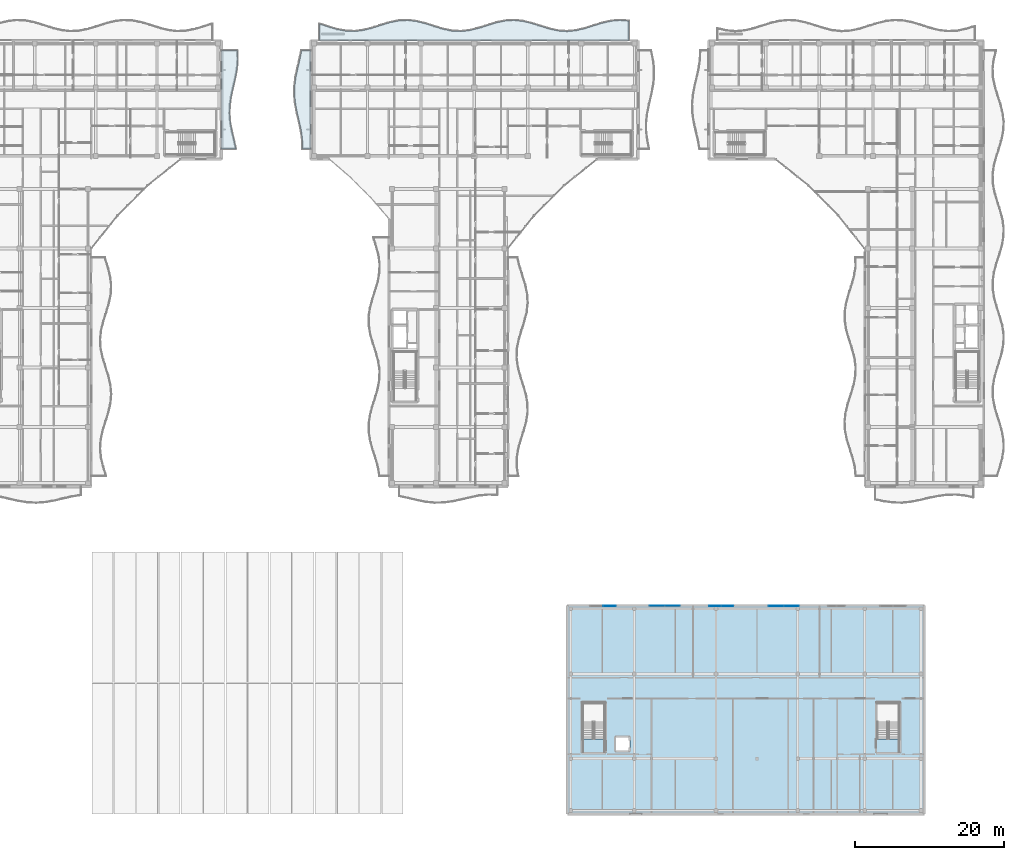
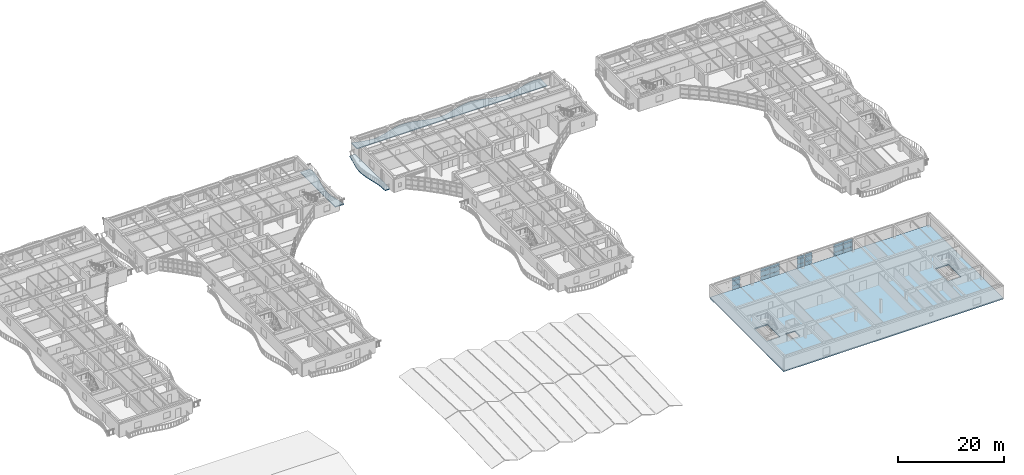
# One storey, part 42 of 89: 21 plates, 4 slabs, 4 elements without a shape of their own.
"""IFC4 building model written with IfcOpenShell, lengths in metres."""

from ifc_helpers import new_model, si_unit, direction, frame, origin, origin_2d, place, context, subcontext, project, spatial, polyline, rectangle, outline, extrude, material, layer, layer_set, type_object, element, aggregate, save


model = new_model("IFC4")

# Units and contexts
model_context = context("Model", 3, precision=1e-05, world=origin(), true_north=direction((0.0, 1.0)))
body_context = subcontext(model_context, "Body", "Model", "MODEL_VIEW")
ifc_project = project(units=[si_unit("LENGTHUNIT", "METRE"), si_unit("AREAUNIT", "SQUARE_METRE"), si_unit("VOLUMEUNIT", "CUBIC_METRE"), si_unit("PLANEANGLEUNIT", "RADIAN"), si_unit("MASSUNIT", "GRAM", prefix="KILO")], contexts=[model_context])

# Site, building, storey
site_placement = place(None, origin())
site = spatial("IfcSite", under=ifc_project, at=site_placement, CompositionType="ELEMENT")
building_placement = place(site_placement, origin())
building = spatial("IfcBuilding", under=site, at=building_placement, Name="Keldmere Railside Commons", CompositionType="ELEMENT")
storey_placement = place(building_placement, frame((0.0, 0.0, 7.360107421875)))
storey = spatial("IfcBuildingStorey", under=building, at=storey_placement, Name="L02", CompositionType="ELEMENT", Elevation=7.360107421875)

# Curtain wall, plates
ifc_material_1 = material(Name="Thermally Broken Aluminium", Category="aluminium")
ifc_layer_1 = layer(ifc_material_1, 0.159912109375, Name="Sky-Terrace Lounge CW 3400x2850")
ifc_layer_set_1 = layer_set([ifc_layer_1], Name="Thermally Broken Aluminium")
curtain_wall_type_1 = type_object("IfcCurtainWallType", Name="Sky-Terrace Lounge CW 3400x2850", PredefinedType="NOTDEFINED", material=ifc_layer_set_1)
curtain_wall_1_placement = place(storey_placement, origin())
curtain_wall_1 = element("IfcCurtainWall", 1, at=curtain_wall_1_placement, inside=storey, type_object=curtain_wall_type_1, Name="CW-14 CW-L02-226", PredefinedType="NOTDEFINED")
ifc_material_2 = material(Name="Low-E Insulated Double Glazing", Category="glass")
ifc_layer_2 = layer(ifc_material_2, 0.033935546875, Name="Acoustic Laminated Vision Panel 34")
ifc_layer_set_2 = layer_set([ifc_layer_2], Name="Low-E Insulated Double Glazing")
plate_type_1 = type_object("IfcPlateType", Name="Acoustic Laminated Vision Panel 34", PredefinedType="CURTAIN_PANEL", material=ifc_layer_set_2)
plate_1_placement = place(storey_placement, frame((147.8662109375, 39.949951171875, 0.06494140625), z_axis=(0.0, 0.0, 1.0), x_axis=(1.0, 0.0, 0.0)))
plate_1 = element("IfcPlate", 2, at=plate_1_placement, type_object=plate_type_1, Name="CW-14 panel 1.1", PredefinedType="CURTAIN_PANEL", context=body_context, shape_type="SweptSolid", body=[
    extrude(rectangle(XDim=1.6025390625, YDim=0.033935546875, at=origin_2d()), origin(), (0.0, 0.0, 1.0), 0.802490234375),
])
plate_2_placement = place(storey_placement, frame((147.8662109375, 39.949951171875, 0.932373046875), z_axis=(0.0, 0.0, 1.0), x_axis=(1.0, 0.0, 0.0)))
plate_2 = element("IfcPlate", 3, at=plate_2_placement, type_object=plate_type_1, Name="CW-14 panel 1.2", PredefinedType="CURTAIN_PANEL", context=body_context, shape_type="SweptSolid", body=[
    extrude(rectangle(XDim=1.6025390625, YDim=0.033935546875, at=origin_2d()), origin(), (0.0, 0.0, 1.0), 1.0849609375),
])
plate_3_placement = place(storey_placement, frame((147.8662109375, 39.949951171875, 2.08251953125), z_axis=(0.0, 0.0, 1.0), x_axis=(1.0, 0.0, 0.0)))
plate_3 = element("IfcPlate", 4, at=plate_3_placement, type_object=plate_type_1, Name="CW-14 panel 1.3", PredefinedType="CURTAIN_PANEL", context=body_context, shape_type="SweptSolid", body=[
    extrude(rectangle(XDim=1.6025390625, YDim=0.033935546875, at=origin_2d()), origin(), (0.0, 0.0, 1.0), 0.652587890625),
])
plate_4_placement = place(storey_placement, frame((149.53369140625, 39.949951171875, 0.06494140625), z_axis=(0.0, 0.0, 1.0), x_axis=(1.0, 0.0, 0.0)))
plate_4 = element("IfcPlate", 5, at=plate_4_placement, type_object=plate_type_1, Name="CW-14 panel 2.1", PredefinedType="CURTAIN_PANEL", context=body_context, shape_type="SweptSolid", body=[
    extrude(rectangle(XDim=1.6025390625, YDim=0.033935546875, at=origin_2d()), origin(), (0.0, 0.0, 1.0), 0.802490234375),
])
plate_5_placement = place(storey_placement, frame((149.53369140625, 39.949951171875, 0.932373046875), z_axis=(0.0, 0.0, 1.0), x_axis=(1.0, 0.0, 0.0)))
plate_5 = element("IfcPlate", 6, at=plate_5_placement, type_object=plate_type_1, Name="CW-14 panel 2.2", PredefinedType="CURTAIN_PANEL", context=body_context, shape_type="SweptSolid", body=[
    extrude(rectangle(XDim=1.6025390625, YDim=0.033935546875, at=origin_2d()), origin(), (0.0, 0.0, 1.0), 1.0849609375),
])
plate_6_placement = place(storey_placement, frame((149.53369140625, 39.949951171875, 2.08251953125), z_axis=(0.0, 0.0, 1.0), x_axis=(1.0, 0.0, 0.0)))
plate_6 = element("IfcPlate", 7, at=plate_6_placement, type_object=plate_type_1, Name="CW-14 panel 2.3", PredefinedType="CURTAIN_PANEL", context=body_context, shape_type="SweptSolid", body=[
    extrude(rectangle(XDim=1.6025390625, YDim=0.033935546875, at=origin_2d()), origin(), (0.0, 0.0, 1.0), 0.652587890625),
])
aggregate(curtain_wall_1, [plate_1, plate_2, plate_3, plate_4, plate_5, plate_6])

# Slab
ifc_material_3 = material(Name="Concrete H-30 (C30/37)", Category="concrete")
ifc_layer_3 = layer(ifc_material_3, 0.260009765625, Name="Civic Upper Floor Slab 260")
ifc_layer_set_3 = layer_set([ifc_layer_3], Name="Concrete H-30 (C30/37)")
slab_type_1 = type_object("IfcSlabType", Name="Civic Upper Floor Slab 260", PredefinedType="FLOOR", material=ifc_layer_set_3)
slab_1_placement = place(storey_placement, frame((0.0, 0.0, -0.260009765625)))
element("IfcSlab", 8, at=slab_1_placement, inside=storey, type_object=slab_type_1, Name="FS-3 ARC-L02-079", PredefinedType="FLOOR", context=body_context, shape_type="SweptSolid", body=[
    extrude(outline(polyline([(176.0, 12.0), (176.0, 40.0), (128.0, 40.0), (128.0, 12.0), (176.0, 12.0)]), holes=[polyline([(134.39990234375, 20.39990234375), (134.39990234375, 22.39990234375), (136.39990234375, 22.39990234375), (136.39990234375, 20.39990234375), (134.39990234375, 20.39990234375)]), polyline([(130.0849609375, 22.074951171875), (130.0849609375, 26.875), (133.02490234375, 26.875), (133.02490234375, 22.074951171875), (130.0849609375, 22.074951171875)]), polyline([(172.625, 22.074951171875), (169.68505859375, 22.074951171875), (169.68505859375, 26.875), (172.625, 26.875), (172.625, 22.074951171875)])]), origin(), (0.0, 0.0, 1.0), 0.260009765625),
])

# Curtain wall, plates
ifc_layer_4 = layer(ifc_material_1, 0.159912109375, Name="Market Arcade Upper Gallery CW 3600x2800")
ifc_layer_set_4 = layer_set([ifc_layer_4], Name="Thermally Broken Aluminium")
curtain_wall_type_2 = type_object("IfcCurtainWallType", Name="Market Arcade Upper Gallery CW 3600x2800", PredefinedType="NOTDEFINED", material=ifc_layer_set_4)
curtain_wall_2_placement = place(storey_placement, origin())
curtain_wall_2 = element("IfcCurtainWall", 9, at=curtain_wall_2_placement, inside=storey, type_object=curtain_wall_type_2, Name="CW-03 CW-L02-224", PredefinedType="NOTDEFINED")
ifc_layer_5 = layer(ifc_material_2, 0.031982421875, Name="Clerestory Solar-Control Vision Panel 32")
ifc_layer_set_5 = layer_set([ifc_layer_5], Name="Low-E Insulated Double Glazing")
plate_type_2 = type_object("IfcPlateType", Name="Clerestory Solar-Control Vision Panel 32", PredefinedType="CURTAIN_PANEL", material=ifc_layer_set_5)
plate_7_placement = place(storey_placement, frame((133.683837890625, 39.949951171875, 0.06494140625), z_axis=(0.0, 0.0, 1.0), x_axis=(1.0, 0.0, 0.0)))
plate_7 = element("IfcPlate", 10, at=plate_7_placement, type_object=plate_type_2, Name="CW-03 panel 2.1", PredefinedType="CURTAIN_PANEL", context=body_context, shape_type="SweptSolid", body=[
    extrude(rectangle(XDim=1.702392578125, YDim=0.031982421875, at=origin_2d()), origin(), (0.0, 0.0, 1.0), 0.802490234375),
])
plate_8_placement = place(storey_placement, frame((133.683837890625, 39.949951171875, 0.932373046875), z_axis=(0.0, 0.0, 1.0), x_axis=(1.0, 0.0, 0.0)))
plate_8 = element("IfcPlate", 11, at=plate_8_placement, type_object=plate_type_2, Name="CW-03 panel 2.2", PredefinedType="CURTAIN_PANEL", context=body_context, shape_type="SweptSolid", body=[
    extrude(rectangle(XDim=1.702392578125, YDim=0.031982421875, at=origin_2d()), origin(), (0.0, 0.0, 1.0), 1.0849609375),
])
plate_9_placement = place(storey_placement, frame((133.683837890625, 39.949951171875, 2.08251953125), z_axis=(0.0, 0.0, 1.0), x_axis=(1.0, 0.0, 0.0)))
plate_9 = element("IfcPlate", 12, at=plate_9_placement, type_object=plate_type_2, Name="CW-03 panel 2.3", PredefinedType="CURTAIN_PANEL", context=body_context, shape_type="SweptSolid", body=[
    extrude(rectangle(XDim=1.702392578125, YDim=0.031982421875, at=origin_2d()), origin(), (0.0, 0.0, 1.0), 0.652587890625),
])
aggregate(curtain_wall_2, [plate_7, plate_8, plate_9])

ifc_layer_6 = layer(ifc_material_1, 0.159912109375, Name="Sky-Terrace Corner CW 4200x2850")
ifc_layer_set_6 = layer_set([ifc_layer_6], Name="Thermally Broken Aluminium")
curtain_wall_type_3 = type_object("IfcCurtainWallType", Name="Sky-Terrace Corner CW 4200x2850", PredefinedType="NOTDEFINED", material=ifc_layer_set_6)
curtain_wall_3_placement = place(storey_placement, origin())
curtain_wall_3 = element("IfcCurtainWall", 13, at=curtain_wall_3_placement, inside=storey, type_object=curtain_wall_type_3, Name="CW-15 CW-L02-227", PredefinedType="NOTDEFINED")
plate_10_placement = place(storey_placement, frame((156.066162109375, 39.949951171875, 0.06494140625), z_axis=(0.0, 0.0, 1.0), x_axis=(1.0, 0.0, 0.0)))
plate_10 = element("IfcPlate", 14, at=plate_10_placement, type_object=plate_type_2, Name="CW-15 panel 1.1", PredefinedType="CURTAIN_PANEL", context=body_context, shape_type="SweptSolid", body=[
    extrude(rectangle(XDim=2.00244140625, YDim=0.031982421875, at=origin_2d()), origin(), (0.0, 0.0, 1.0), 0.802490234375),
])
plate_11_placement = place(storey_placement, frame((156.066162109375, 39.949951171875, 0.932373046875), z_axis=(0.0, 0.0, 1.0), x_axis=(1.0, 0.0, 0.0)))
plate_11 = element("IfcPlate", 15, at=plate_11_placement, type_object=plate_type_2, Name="CW-15 panel 1.2", PredefinedType="CURTAIN_PANEL", context=body_context, shape_type="SweptSolid", body=[
    extrude(rectangle(XDim=2.00244140625, YDim=0.031982421875, at=origin_2d()), origin(), (0.0, 0.0, 1.0), 1.0849609375),
])
plate_12_placement = place(storey_placement, frame((156.066162109375, 39.949951171875, 2.08251953125), z_axis=(0.0, 0.0, 1.0), x_axis=(1.0, 0.0, 0.0)))
plate_12 = element("IfcPlate", 16, at=plate_12_placement, type_object=plate_type_2, Name="CW-15 panel 1.3", PredefinedType="CURTAIN_PANEL", context=body_context, shape_type="SweptSolid", body=[
    extrude(rectangle(XDim=2.00244140625, YDim=0.031982421875, at=origin_2d()), origin(), (0.0, 0.0, 1.0), 0.652587890625),
])
plate_13_placement = place(storey_placement, frame((158.1337890625, 39.949951171875, 0.06494140625), z_axis=(0.0, 0.0, 1.0), x_axis=(1.0, 0.0, 0.0)))
plate_13 = element("IfcPlate", 17, at=plate_13_placement, type_object=plate_type_2, Name="CW-15 panel 2.1", PredefinedType="CURTAIN_PANEL", context=body_context, shape_type="SweptSolid", body=[
    extrude(rectangle(XDim=2.00244140625, YDim=0.031982421875, at=origin_2d()), origin(), (0.0, 0.0, 1.0), 0.802490234375),
])
plate_14_placement = place(storey_placement, frame((158.1337890625, 39.949951171875, 0.932373046875), z_axis=(0.0, 0.0, 1.0), x_axis=(1.0, 0.0, 0.0)))
plate_14 = element("IfcPlate", 18, at=plate_14_placement, type_object=plate_type_2, Name="CW-15 panel 2.2", PredefinedType="CURTAIN_PANEL", context=body_context, shape_type="SweptSolid", body=[
    extrude(rectangle(XDim=2.00244140625, YDim=0.031982421875, at=origin_2d()), origin(), (0.0, 0.0, 1.0), 1.0849609375),
])
plate_15_placement = place(storey_placement, frame((158.1337890625, 39.949951171875, 2.08251953125), z_axis=(0.0, 0.0, 1.0), x_axis=(1.0, 0.0, 0.0)))
plate_15 = element("IfcPlate", 19, at=plate_15_placement, type_object=plate_type_2, Name="CW-15 panel 2.3", PredefinedType="CURTAIN_PANEL", context=body_context, shape_type="SweptSolid", body=[
    extrude(rectangle(XDim=2.00244140625, YDim=0.031982421875, at=origin_2d()), origin(), (0.0, 0.0, 1.0), 0.652587890625),
])
aggregate(curtain_wall_3, [plate_10, plate_11, plate_12, plate_13, plate_14, plate_15])

ifc_layer_7 = layer(ifc_material_1, 0.159912109375, Name="Market Arcade Upper Gallery CW 4200x2800")
ifc_layer_set_7 = layer_set([ifc_layer_7], Name="Thermally Broken Aluminium")
curtain_wall_type_4 = type_object("IfcCurtainWallType", Name="Market Arcade Upper Gallery CW 4200x2800", PredefinedType="NOTDEFINED", material=ifc_layer_set_7)
curtain_wall_4_placement = place(storey_placement, origin())
curtain_wall_4 = element("IfcCurtainWall", 20, at=curtain_wall_4_placement, inside=storey, type_object=curtain_wall_type_4, Name="CW-04 CW-L02-225", PredefinedType="NOTDEFINED")
ifc_layer_8 = layer(ifc_material_2, 0.028076171875, Name="Low-E Vision Glazing Panel 28")
ifc_layer_set_8 = layer_set([ifc_layer_8], Name="Low-E Insulated Double Glazing")
plate_type_3 = type_object("IfcPlateType", Name="Low-E Vision Glazing Panel 28", PredefinedType="CURTAIN_PANEL", material=ifc_layer_set_8)
plate_16_placement = place(storey_placement, frame((140.066162109375, 39.949951171875, 0.06494140625), z_axis=(0.0, 0.0, 1.0), x_axis=(1.0, 0.0, 0.0)))
plate_16 = element("IfcPlate", 21, at=plate_16_placement, type_object=plate_type_3, Name="CW-04 panel 1.1", PredefinedType="CURTAIN_PANEL", context=body_context, shape_type="SweptSolid", body=[
    extrude(rectangle(XDim=2.00244140625, YDim=0.028076171875, at=origin_2d()), origin(), (0.0, 0.0, 1.0), 0.802490234375),
])
plate_17_placement = place(storey_placement, frame((140.066162109375, 39.949951171875, 0.932373046875), z_axis=(0.0, 0.0, 1.0), x_axis=(1.0, 0.0, 0.0)))
plate_17 = element("IfcPlate", 22, at=plate_17_placement, type_object=plate_type_3, Name="CW-04 panel 1.2", PredefinedType="CURTAIN_PANEL", context=body_context, shape_type="SweptSolid", body=[
    extrude(rectangle(XDim=2.00244140625, YDim=0.028076171875, at=origin_2d()), origin(), (0.0, 0.0, 1.0), 1.0849609375),
])
plate_18_placement = place(storey_placement, frame((140.066162109375, 39.949951171875, 2.08251953125), z_axis=(0.0, 0.0, 1.0), x_axis=(1.0, 0.0, 0.0)))
plate_18 = element("IfcPlate", 23, at=plate_18_placement, type_object=plate_type_3, Name="CW-04 panel 1.3", PredefinedType="CURTAIN_PANEL", context=body_context, shape_type="SweptSolid", body=[
    extrude(rectangle(XDim=2.00244140625, YDim=0.028076171875, at=origin_2d()), origin(), (0.0, 0.0, 1.0), 0.652587890625),
])
plate_19_placement = place(storey_placement, frame((142.1337890625, 39.949951171875, 0.06494140625), z_axis=(0.0, 0.0, 1.0), x_axis=(1.0, 0.0, 0.0)))
plate_19 = element("IfcPlate", 24, at=plate_19_placement, type_object=plate_type_3, Name="CW-04 panel 2.1", PredefinedType="CURTAIN_PANEL", context=body_context, shape_type="SweptSolid", body=[
    extrude(rectangle(XDim=2.00244140625, YDim=0.028076171875, at=origin_2d()), origin(), (0.0, 0.0, 1.0), 0.802490234375),
])
plate_20_placement = place(storey_placement, frame((142.1337890625, 39.949951171875, 0.932373046875), z_axis=(0.0, 0.0, 1.0), x_axis=(1.0, 0.0, 0.0)))
plate_20 = element("IfcPlate", 25, at=plate_20_placement, type_object=plate_type_3, Name="CW-04 panel 2.2", PredefinedType="CURTAIN_PANEL", context=body_context, shape_type="SweptSolid", body=[
    extrude(rectangle(XDim=2.00244140625, YDim=0.028076171875, at=origin_2d()), origin(), (0.0, 0.0, 1.0), 1.0849609375),
])
plate_21_placement = place(storey_placement, frame((142.1337890625, 39.949951171875, 2.08251953125), z_axis=(0.0, 0.0, 1.0), x_axis=(1.0, 0.0, 0.0)))
plate_21 = element("IfcPlate", 26, at=plate_21_placement, type_object=plate_type_3, Name="CW-04 panel 2.3", PredefinedType="CURTAIN_PANEL", context=body_context, shape_type="SweptSolid", body=[
    extrude(rectangle(XDim=2.00244140625, YDim=0.028076171875, at=origin_2d()), origin(), (0.0, 0.0, 1.0), 0.652587890625),
])
aggregate(curtain_wall_4, [plate_16, plate_17, plate_18, plate_19, plate_20, plate_21])

# Slabs
ifc_material_4 = material(Name="White Precast Concrete H-35 (C35/45)", Category="concrete")
ifc_layer_9 = layer(ifc_material_4, 0.179931640625, Name="Sinusoidal Wave Balcony Slab 180")
ifc_layer_set_9 = layer_set([ifc_layer_9], Name="White Precast Concrete H-35 (C35/45)")
slab_type_2 = type_object("IfcSlabType", Name="Sinusoidal Wave Balcony Slab 180", PredefinedType="FLOOR", material=ifc_layer_set_9)
slab_2_placement = place(storey_placement, frame((0.0, 0.0, -0.18017578125)))
element("IfcSlab", 27, at=slab_2_placement, inside=storey, type_object=slab_type_2, Name="WB-1 C L02 WE Wave Balcony", PredefinedType="FLOOR", context=body_context, shape_type="SweptSolid", body=[
    extrude(outline(polyline([(83.456787109375, 101.39990234375), (83.1875, 102.60009765625), (82.907958984375, 103.800048828125), (82.693603515625, 105.0), (82.601318359375, 106.199951171875), (82.656005859375, 107.39990234375), (82.84326171875, 108.60009765625), (83.112548828125, 109.800048828125), (83.39208984375, 111.0), (83.6064453125, 112.199951171875), (83.69873046875, 113.39990234375), (83.643798828125, 114.60009765625), (81.5, 114.60009765625), (81.5, 113.39990234375), (81.5, 112.199951171875), (81.5, 111.0), (81.5, 109.800048828125), (81.5, 108.60009765625), (81.5, 107.39990234375), (81.5, 106.199951171875), (81.5, 105.0), (81.5, 103.800048828125), (81.5, 102.60009765625), (81.5, 101.39990234375), (83.456787109375, 101.39990234375)])), origin(), (0.0, 0.0, 1.0), 0.18017578125),
])
slab_3_placement = place(storey_placement, frame((0.0, 0.0, -0.18017578125)))
element("IfcSlab", 28, at=slab_3_placement, inside=storey, type_object=slab_type_2, Name="WB-1 B L02 N Wave Balcony", PredefinedType="FLOOR", context=body_context, shape_type="SweptSolid", body=[
    extrude(outline(polyline([(94.699951171875, 116.0), (95.888671875, 116.0), (97.0771484375, 116.0), (98.265625, 116.0), (99.454345703125, 116.0), (100.642822265625, 116.0), (101.831298828125, 116.0), (103.02001953125, 116.0), (104.20849609375, 116.0), (105.397216796875, 116.0), (106.585693359375, 116.0), (107.7744140625, 116.0), (108.962890625, 116.0), (110.1513671875, 116.0), (111.340087890625, 116.0), (112.528564453125, 116.0), (113.717041015625, 116.0), (114.90576171875, 116.0), (116.09423828125, 116.0), (117.282958984375, 116.0), (118.471435546875, 116.0), (119.659912109375, 116.0), (120.8486328125, 116.0), (122.037109375, 116.0), (123.2255859375, 116.0), (124.414306640625, 116.0), (125.602783203125, 116.0), (126.79150390625, 116.0), (127.97998046875, 116.0), (129.168701171875, 116.0), (130.357177734375, 116.0), (131.545654296875, 116.0), (132.734375, 116.0), (133.9228515625, 116.0), (135.111328125, 116.0), (136.300048828125, 116.0), (136.300048828125, 118.5966796875), (135.111328125, 118.699951171875), (133.9228515625, 118.60595703125), (132.734375, 118.339599609375), (131.545654296875, 117.970703125), (130.357177734375, 117.59619140625), (129.168701171875, 117.31494140625), (127.97998046875, 117.20068359375), (126.79150390625, 117.283447265625), (125.602783203125, 117.54150390625), (124.414306640625, 117.906982421875), (123.2255859375, 118.28369140625), (122.037109375, 118.57275390625), (120.8486328125, 118.697998046875), (119.659912109375, 118.62646484375), (118.471435546875, 118.377197265625), (117.282958984375, 118.015380859375), (116.09423828125, 117.636474609375), (114.90576171875, 117.340087890625), (113.717041015625, 117.203857421875), (112.528564453125, 117.26416015625), (111.340087890625, 117.504638671875), (110.1513671875, 117.8623046875), (108.962890625, 118.242919921875), (107.7744140625, 118.546630859375), (106.585693359375, 118.693603515625), (105.397216796875, 118.644775390625), (104.20849609375, 118.4130859375), (103.02001953125, 118.059814453125), (101.831298828125, 117.677734375), (100.642822265625, 117.3671875), (99.454345703125, 117.209716796875), (98.265625, 117.247314453125), (97.0771484375, 117.469482421875), (95.888671875, 117.81787109375), (94.699951171875, 118.201171875), (94.699951171875, 116.0)])), origin(), (0.0, 0.0, 1.0), 0.18017578125),
])
slab_4_placement = place(storey_placement, frame((0.0, 0.0, -0.18017578125)))
element("IfcSlab", 29, at=slab_4_placement, inside=storey, type_object=slab_type_2, Name="WB-1 B L02 WW Wave Balcony", PredefinedType="FLOOR", context=body_context, shape_type="SweptSolid", body=[
    extrude(outline(polyline([(93.5, 101.39990234375), (93.5, 102.60009765625), (93.5, 103.800048828125), (93.5, 105.0), (93.5, 106.199951171875), (93.5, 107.39990234375), (93.5, 108.60009765625), (93.5, 109.800048828125), (93.5, 111.0), (93.5, 112.199951171875), (93.5, 113.39990234375), (93.5, 114.60009765625), (92.257568359375, 114.60009765625), (92.018310546875, 113.39990234375), (91.734130859375, 112.199951171875), (91.480712890625, 111.0), (91.326416015625, 109.800048828125), (91.3125, 108.60009765625), (91.4423828125, 107.39990234375), (91.681640625, 106.199951171875), (91.9658203125, 105.0), (92.21923828125, 103.800048828125), (92.37353515625, 102.60009765625), (92.3876953125, 101.39990234375), (93.5, 101.39990234375)])), origin(), (0.0, 0.0, 1.0), 0.18017578125),
])

save(model, "model.ifc")
